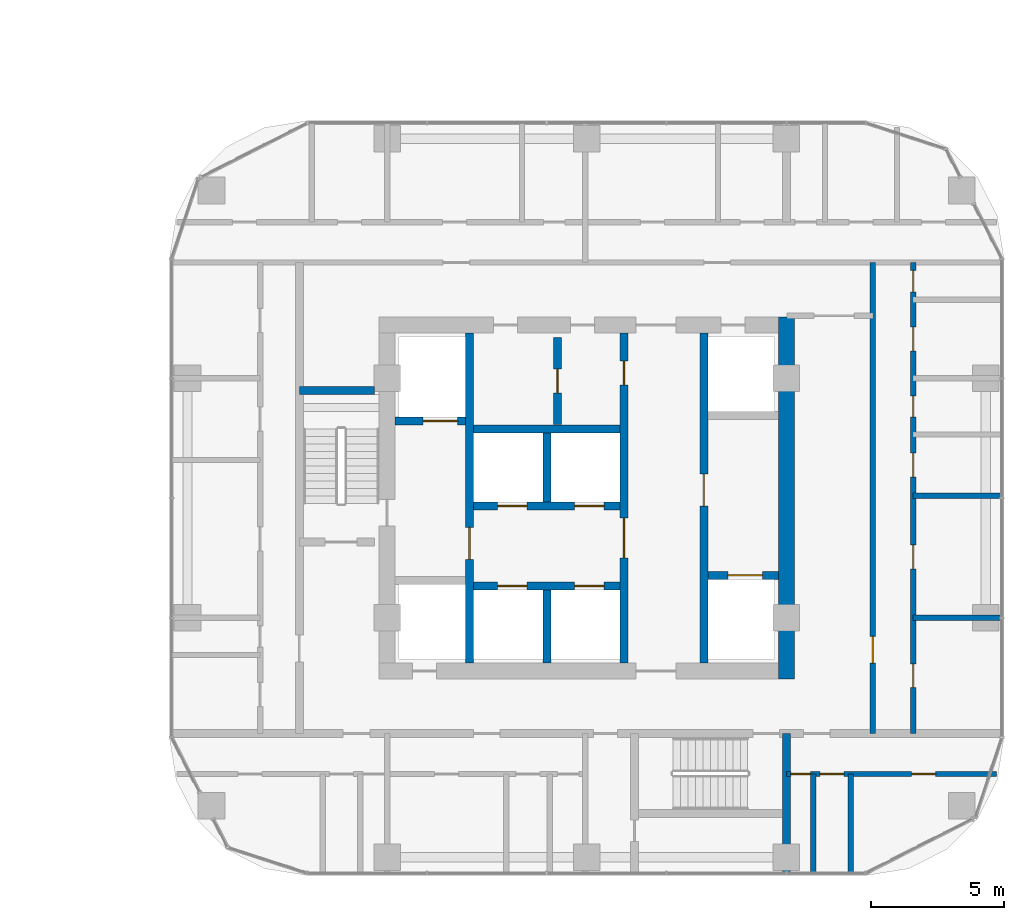
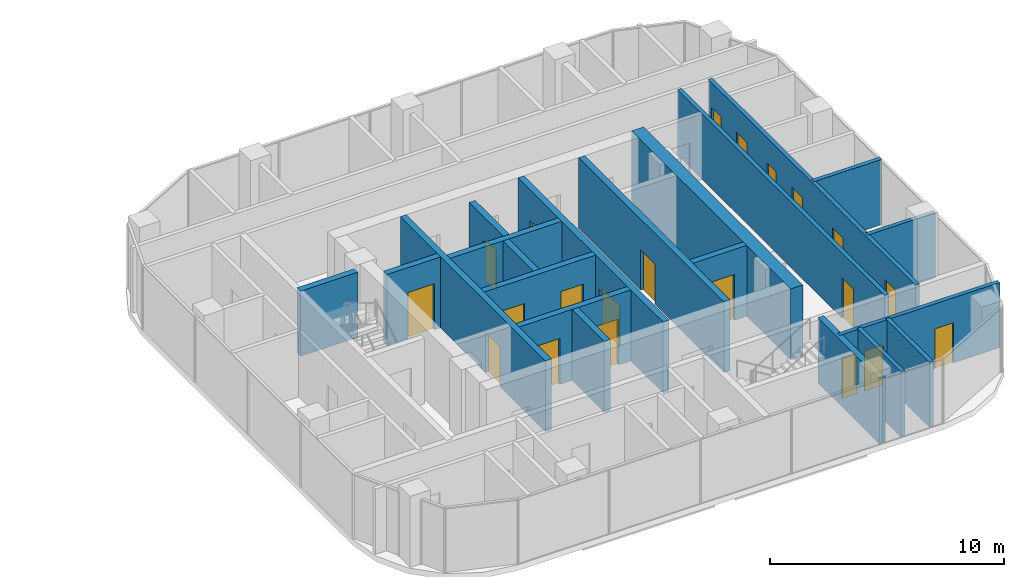
# One storey, part 20 of 30: 21 doors, 21 walls, 21 openings.
"""IFC4 building model written with IfcOpenShell, lengths in metres."""

from ifc_helpers import new_model, si_unit, direction, frame, frame_2d, origin, place, context, subcontext, project, spatial, rectangle, extrude, material, layer, layer_set, type_object, element, fill, save


model = new_model("IFC4")

# Units and contexts
model_context = context("Model", 3, precision=1e-05, world=origin(), true_north=direction((0.0, 1.0)))
body_context = subcontext(model_context, "Body", "Model", "MODEL_VIEW")
ifc_project = project(units=[si_unit("LENGTHUNIT", "METRE"), si_unit("AREAUNIT", "SQUARE_METRE"), si_unit("VOLUMEUNIT", "CUBIC_METRE"), si_unit("PLANEANGLEUNIT", "RADIAN"), si_unit("MASSUNIT", "GRAM", prefix="KILO")], contexts=[model_context])

# Site, building, storey
site_placement = place(None, origin())
site = spatial("IfcSite", under=ifc_project, at=site_placement, CompositionType="ELEMENT")
building_placement = place(site_placement, origin())
building = spatial("IfcBuilding", under=site, at=building_placement, Name="Ogive Portal Towers", CompositionType="ELEMENT")
storey_placement = place(building_placement, frame((0.0, 0.0, 37.199951171875)))
storey = spatial("IfcBuildingStorey", under=building, at=storey_placement, Name="L07", CompositionType="ELEMENT", Elevation=37.199951171875)

# Wall, opening, door
ifc_material_1 = material(Name="Concrete C60/75", Category="concrete")
ifc_layer_1 = layer(ifc_material_1, 0.300048828125)
ifc_layer_set_1 = layer_set([ifc_layer_1], Name="CORE WALL 300 C60")
wall_type_1 = type_object("IfcWallType", Name="CORE WALL 300 C60", PredefinedType="SHEAR", material=ifc_layer_set_1)
wall_1_placement = place(storey_placement, frame((132.10009765625, 24.800048828125, 0.0), z_axis=(0.0, 0.0, 1.0), x_axis=(0.0, 1.0, 0.0)))
wall_1 = element("IfcWall", 1, at=wall_1_placement, inside=storey, type_object=wall_type_1, Name="Tower B core wall BX1 L07", PredefinedType="SHEAR", context=body_context, shape_type="SweptSolid", body=[
    extrude(rectangle(XDim=12.39990234375, YDim=0.300048828125, at=frame_2d((6.199951171875, 0.0))), origin(), (0.0, 0.0, 1.0), 3.699951171875),
])
opening_1_placement = place(wall_1_placement, frame((3.89990234375, 0.0, 0.0)))
opening_1 = element("IfcOpeningElement", 2, at=opening_1_placement, cuts=wall_1, Name="Opening B01-044", PredefinedType="OPENING", context=body_context, shape_type="SweptSolid", body=[
    extrude(rectangle(XDim=1.199951171875, YDim=2.10009765625, at=frame_2d((0.60009765625, 1.050048828125))), frame((0.0, 0.16015625, 0.0), z_axis=(0.0, -1.0, 0.0), x_axis=(1.0, 0.0, 0.0)), (0.0, 0.0, 1.0), 0.320068359375),
])
ifc_material_2 = material(Name="Steel fire door", Category="steel")
door_type_1 = type_object("IfcDoorType", Name="DT-SWING-1200x2100-FD90S", OperationType="SINGLE_SWING_LEFT", PredefinedType="DOOR", material=ifc_material_2)
door_1_placement = place(opening_1_placement, origin())
door_1 = element("IfcDoor", 3, at=door_1_placement, inside=storey, type_object=door_type_1, Name="Door B01-044", OperationType="SINGLE_SWING_LEFT", OverallHeight=2.10009765625, OverallWidth=1.199951171875, PredefinedType="DOOR", context=body_context, shape_type="SweptSolid", body=[
    extrude(rectangle(XDim=1.199951171875, YDim=2.10009765625, at=frame_2d((0.60009765625, 1.050048828125))), frame((0.0, 0.02490234375, 0.0), z_axis=(0.0, -1.0, 0.0), x_axis=(1.0, 0.0, 0.0)), (0.0, 0.0, 1.0), 0.050048828125),
])
fill(opening_1, door_1)

# Wall, openings, doors
wall_2_placement = place(storey_placement, frame((137.89990234375, 24.800048828125, 0.0), z_axis=(0.0, 0.0, 1.0), x_axis=(0.0, 1.0, 0.0)))
wall_2 = element("IfcWall", 4, at=wall_2_placement, inside=storey, type_object=wall_type_1, Name="Tower B core wall BX2 L07", PredefinedType="SHEAR", context=body_context, shape_type="SweptSolid", body=[
    extrude(rectangle(XDim=12.39990234375, YDim=0.300048828125, at=frame_2d((6.199951171875, 0.0))), origin(), (0.0, 0.0, 1.0), 3.699951171875),
])
opening_2_placement = place(wall_2_placement, frame((3.949951171875, 0.0, 0.0)))
opening_2 = element("IfcOpeningElement", 5, at=opening_2_placement, cuts=wall_2, Name="Opening B01-043", PredefinedType="OPENING", context=body_context, shape_type="SweptSolid", body=[
    extrude(rectangle(XDim=1.5, YDim=2.10009765625, at=frame_2d((0.75, 1.050048828125))), frame((0.0, 0.16015625, 0.0), z_axis=(0.0, -1.0, 0.0), x_axis=(1.0, 0.0, 0.0)), (0.0, 0.0, 1.0), 0.320068359375),
])
opening_3_placement = place(wall_2_placement, frame((10.449951171875, 0.0, 0.0)))
opening_3 = element("IfcOpeningElement", 6, at=opening_3_placement, cuts=wall_2, Name="Opening B01-059", PredefinedType="OPENING", context=body_context, shape_type="SweptSolid", body=[
    extrude(rectangle(XDim=0.89990234375, YDim=2.10009765625, at=frame_2d((0.449951171875, 1.050048828125))), frame((0.0, 0.16015625, 0.0), z_axis=(0.0, -1.0, 0.0), x_axis=(1.0, 0.0, 0.0)), (0.0, 0.0, 1.0), 0.320068359375),
])
door_type_2 = type_object("IfcDoorType", Name="DT-SWING-1500x2100-FD90S", OperationType="SINGLE_SWING_LEFT", PredefinedType="DOOR", material=ifc_material_2)
door_2_placement = place(opening_2_placement, origin())
door_2 = element("IfcDoor", 7, at=door_2_placement, inside=storey, type_object=door_type_2, Name="Door B01-043", OperationType="SINGLE_SWING_RIGHT", OverallHeight=2.10009765625, OverallWidth=1.5, PredefinedType="DOOR", context=body_context, shape_type="SweptSolid", body=[
    extrude(rectangle(XDim=1.5, YDim=2.10009765625, at=frame_2d((0.75, 1.050048828125))), frame((0.0, 0.02490234375, 0.0), z_axis=(0.0, -1.0, 0.0), x_axis=(1.0, 0.0, 0.0)), (0.0, 0.0, 1.0), 0.050048828125),
])
fill(opening_2, door_2)
door_type_3 = type_object("IfcDoorType", Name="DT-SWING-900x2100-FD90S", OperationType="SINGLE_SWING_LEFT", PredefinedType="DOOR", material=ifc_material_2)
door_3_placement = place(opening_3_placement, origin())
door_3 = element("IfcDoor", 8, at=door_3_placement, inside=storey, type_object=door_type_3, Name="Door B01-059", OperationType="SINGLE_SWING_RIGHT", OverallHeight=2.10009765625, OverallWidth=0.89990234375, PredefinedType="DOOR", context=body_context, shape_type="SweptSolid", body=[
    extrude(rectangle(XDim=0.89990234375, YDim=2.10009765625, at=frame_2d((0.449951171875, 1.050048828125))), frame((0.0, 0.02490234375, 0.0), z_axis=(0.0, -1.0, 0.0), x_axis=(1.0, 0.0, 0.0)), (0.0, 0.0, 1.0), 0.050048828125),
])
fill(opening_3, door_3)

# Wall, opening, door
wall_3_placement = place(storey_placement, frame((140.89990234375, 24.800048828125, 0.0), z_axis=(0.0, 0.0, 1.0), x_axis=(0.0, 1.0, 0.0)))
wall_3 = element("IfcWall", 9, at=wall_3_placement, inside=storey, type_object=wall_type_1, Name="Tower B core wall BX3 L07", PredefinedType="SHEAR", context=body_context, shape_type="SweptSolid", body=[
    extrude(rectangle(XDim=12.39990234375, YDim=0.300048828125, at=frame_2d((6.199951171875, 0.0))), origin(), (0.0, 0.0, 1.0), 3.699951171875),
])
opening_4_placement = place(wall_3_placement, frame((5.89990234375, 0.0, 0.0)))
opening_4 = element("IfcOpeningElement", 10, at=opening_4_placement, cuts=wall_3, Name="Opening B01-045", PredefinedType="OPENING", context=body_context, shape_type="SweptSolid", body=[
    extrude(rectangle(XDim=1.199951171875, YDim=2.10009765625, at=frame_2d((0.60009765625, 1.050048828125))), frame((0.0, 0.16015625, 0.0), z_axis=(0.0, -1.0, 0.0), x_axis=(1.0, 0.0, 0.0)), (0.0, 0.0, 1.0), 0.320068359375),
])
door_4_placement = place(opening_4_placement, origin())
door_4 = element("IfcDoor", 11, at=door_4_placement, inside=storey, type_object=door_type_1, Name="Door B01-045", OperationType="SINGLE_SWING_RIGHT", OverallHeight=2.10009765625, OverallWidth=1.199951171875, PredefinedType="DOOR", context=body_context, shape_type="SweptSolid", body=[
    extrude(rectangle(XDim=1.199951171875, YDim=2.10009765625, at=frame_2d((0.60009765625, 1.050048828125))), frame((0.0, 0.02490234375, 0.0), z_axis=(0.0, -1.0, 0.0), x_axis=(1.0, 0.0, 0.0)), (0.0, 0.0, 1.0), 0.050048828125),
])
fill(opening_4, door_4)

# Walls
wall_4_placement = place(storey_placement, frame((135.0, 24.800048828125, 0.0), z_axis=(0.0, 0.0, 1.0), x_axis=(0.0, 1.0, 0.0)))
element("IfcWall", 12, at=wall_4_placement, inside=storey, type_object=wall_type_1, Name="Tower B core wall BX4 L07", PredefinedType="SHEAR", context=body_context, shape_type="SweptSolid", body=[
    extrude(rectangle(XDim=2.75, YDim=0.300048828125, at=frame_2d((1.375, 0.0))), origin(), (0.0, 0.0, 1.0), 3.699951171875),
])
wall_5_placement = place(storey_placement, frame((135.0, 30.85009765625, 0.0), z_axis=(0.0, 0.0, 1.0), x_axis=(0.0, 1.0, 0.0)))
element("IfcWall", 13, at=wall_5_placement, inside=storey, type_object=wall_type_1, Name="Tower B core wall BX5 L07", PredefinedType="SHEAR", context=body_context, shape_type="SweptSolid", body=[
    extrude(rectangle(XDim=2.599853515625, YDim=0.300048828125, at=frame_2d((1.2998046875, 0.0))), origin(), (0.0, 0.0, 1.0), 3.699951171875),
])

# Wall, openings, doors
wall_6_placement = place(storey_placement, frame((132.25, 27.699951171875, 0.0), z_axis=(0.0, 0.0, 1.0), x_axis=(1.0, 0.0, 0.0)))
wall_6 = element("IfcWall", 14, at=wall_6_placement, inside=storey, type_object=wall_type_1, Name="Tower B core wall BY1 L07", PredefinedType="SHEAR", context=body_context, shape_type="SweptSolid", body=[
    extrude(rectangle(XDim=5.5, YDim=0.300048828125, at=frame_2d((2.75, 0.0))), origin(), (0.0, 0.0, 1.0), 3.699951171875),
])
opening_5_placement = place(wall_6_placement, frame((0.89990234375, 0.0, 0.0)))
opening_5 = element("IfcOpeningElement", 15, at=opening_5_placement, cuts=wall_6, Name="Opening B01-051", PredefinedType="OPENING", context=body_context, shape_type="SweptSolid", body=[
    extrude(rectangle(XDim=1.10009765625, YDim=2.39990234375, at=frame_2d((0.550048828125, 1.199951171875))), frame((0.0, 0.16015625, 0.0), z_axis=(0.0, -1.0, 0.0), x_axis=(1.0, 0.0, 0.0)), (0.0, 0.0, 1.0), 0.320068359375),
])
opening_6_placement = place(wall_6_placement, frame((3.800048828125, 0.0, 0.0)))
opening_6 = element("IfcOpeningElement", 16, at=opening_6_placement, cuts=wall_6, Name="Opening B01-052", PredefinedType="OPENING", context=body_context, shape_type="SweptSolid", body=[
    extrude(rectangle(XDim=1.10009765625, YDim=2.39990234375, at=frame_2d((0.550048828125, 1.199951171875))), frame((0.0, 0.16015625, 0.0), z_axis=(0.0, -1.0, 0.0), x_axis=(1.0, 0.0, 0.0)), (0.0, 0.0, 1.0), 0.320068359375),
])
ifc_material_3 = material(Name="Stainless steel", Category="steel")
door_type_4 = type_object("IfcDoorType", Name="DT-LD-1100x2400", OperationType="SLIDING_TO_LEFT", PredefinedType="DOOR", material=ifc_material_3)
door_5_placement = place(opening_5_placement, origin())
door_5 = element("IfcDoor", 17, at=door_5_placement, inside=storey, type_object=door_type_4, Name="Door B01-051", OperationType="SLIDING_TO_LEFT", OverallHeight=2.39990234375, OverallWidth=1.10009765625, PredefinedType="DOOR", context=body_context, shape_type="SweptSolid", body=[
    extrude(rectangle(XDim=1.10009765625, YDim=2.39990234375, at=frame_2d((0.550048828125, 1.199951171875))), frame((0.0, 0.02490234375, 0.0), z_axis=(0.0, -1.0, 0.0), x_axis=(1.0, 0.0, 0.0)), (0.0, 0.0, 1.0), 0.050048828125),
])
fill(opening_5, door_5)
door_6_placement = place(opening_6_placement, origin())
door_6 = element("IfcDoor", 18, at=door_6_placement, inside=storey, type_object=door_type_4, Name="Door B01-052", OperationType="SLIDING_TO_LEFT", OverallHeight=2.39990234375, OverallWidth=1.10009765625, PredefinedType="DOOR", context=body_context, shape_type="SweptSolid", body=[
    extrude(rectangle(XDim=1.10009765625, YDim=2.39990234375, at=frame_2d((0.550048828125, 1.199951171875))), frame((0.0, 0.02490234375, 0.0), z_axis=(0.0, -1.0, 0.0), x_axis=(1.0, 0.0, 0.0)), (0.0, 0.0, 1.0), 0.050048828125),
])
fill(opening_6, door_6)

wall_7_placement = place(storey_placement, frame((132.25, 30.699951171875, 0.0), z_axis=(0.0, 0.0, 1.0), x_axis=(1.0, 0.0, 0.0)))
wall_7 = element("IfcWall", 19, at=wall_7_placement, inside=storey, type_object=wall_type_1, Name="Tower B core wall BY2 L07", PredefinedType="SHEAR", context=body_context, shape_type="SweptSolid", body=[
    extrude(rectangle(XDim=5.5, YDim=0.300048828125, at=frame_2d((2.75, 0.0))), origin(), (0.0, 0.0, 1.0), 3.699951171875),
])
opening_7_placement = place(wall_7_placement, frame((0.89990234375, 0.0, 0.0)))
opening_7 = element("IfcOpeningElement", 20, at=opening_7_placement, cuts=wall_7, Name="Opening B01-053", PredefinedType="OPENING", context=body_context, shape_type="SweptSolid", body=[
    extrude(rectangle(XDim=1.10009765625, YDim=2.39990234375, at=frame_2d((0.550048828125, 1.199951171875))), frame((0.0, 0.16015625, 0.0), z_axis=(0.0, -1.0, 0.0), x_axis=(1.0, 0.0, 0.0)), (0.0, 0.0, 1.0), 0.320068359375),
])
opening_8_placement = place(wall_7_placement, frame((3.800048828125, 0.0, 0.0)))
opening_8 = element("IfcOpeningElement", 21, at=opening_8_placement, cuts=wall_7, Name="Opening B01-054", PredefinedType="OPENING", context=body_context, shape_type="SweptSolid", body=[
    extrude(rectangle(XDim=1.10009765625, YDim=2.39990234375, at=frame_2d((0.550048828125, 1.199951171875))), frame((0.0, 0.16015625, 0.0), z_axis=(0.0, -1.0, 0.0), x_axis=(1.0, 0.0, 0.0)), (0.0, 0.0, 1.0), 0.320068359375),
])
door_7_placement = place(opening_7_placement, origin())
door_7 = element("IfcDoor", 22, at=door_7_placement, inside=storey, type_object=door_type_4, Name="Door B01-053", OperationType="SLIDING_TO_LEFT", OverallHeight=2.39990234375, OverallWidth=1.10009765625, PredefinedType="DOOR", context=body_context, shape_type="SweptSolid", body=[
    extrude(rectangle(XDim=1.10009765625, YDim=2.39990234375, at=frame_2d((0.550048828125, 1.199951171875))), frame((0.0, 0.02490234375, 0.0), z_axis=(0.0, -1.0, 0.0), x_axis=(1.0, 0.0, 0.0)), (0.0, 0.0, 1.0), 0.050048828125),
])
fill(opening_7, door_7)
door_8_placement = place(opening_8_placement, origin())
door_8 = element("IfcDoor", 23, at=door_8_placement, inside=storey, type_object=door_type_4, Name="Door B01-054", OperationType="SLIDING_TO_LEFT", OverallHeight=2.39990234375, OverallWidth=1.10009765625, PredefinedType="DOOR", context=body_context, shape_type="SweptSolid", body=[
    extrude(rectangle(XDim=1.10009765625, YDim=2.39990234375, at=frame_2d((0.550048828125, 1.199951171875))), frame((0.0, 0.02490234375, 0.0), z_axis=(0.0, -1.0, 0.0), x_axis=(1.0, 0.0, 0.0)), (0.0, 0.0, 1.0), 0.050048828125),
])
fill(opening_8, door_8)

# Wall
wall_8_placement = place(storey_placement, frame((132.25, 33.60009765625, 0.0), z_axis=(0.0, 0.0, 1.0), x_axis=(1.0, 0.0, 0.0)))
element("IfcWall", 24, at=wall_8_placement, inside=storey, type_object=wall_type_1, Name="Tower B core wall BY3 L07", PredefinedType="SHEAR", context=body_context, shape_type="SweptSolid", body=[
    extrude(rectangle(XDim=5.5, YDim=0.300048828125, at=frame_2d((2.75, 0.0))), origin(), (0.0, 0.0, 1.0), 3.699951171875),
])

# Wall, opening, door
wall_9_placement = place(storey_placement, frame((129.300048828125, 33.89990234375, 0.0), z_axis=(0.0, 0.0, 1.0), x_axis=(1.0, 0.0, 0.0)))
wall_9 = element("IfcWall", 25, at=wall_9_placement, inside=storey, type_object=wall_type_1, Name="Tower B core wall BY5 L07", PredefinedType="SHEAR", context=body_context, shape_type="SweptSolid", body=[
    extrude(rectangle(XDim=2.64990234375, YDim=0.300048828125, at=frame_2d((1.324951171875, 0.0))), origin(), (0.0, 0.0, 1.0), 3.699951171875),
])
opening_9_placement = place(wall_9_placement, frame((1.050048828125, 0.0, 0.0)))
opening_9 = element("IfcOpeningElement", 26, at=opening_9_placement, cuts=wall_9, Name="Opening B01-055", PredefinedType="OPENING", context=body_context, shape_type="SweptSolid", body=[
    extrude(rectangle(XDim=1.300048828125, YDim=2.39990234375, at=frame_2d((0.64990234375, 1.199951171875))), frame((0.0, 0.16015625, 0.0), z_axis=(0.0, -1.0, 0.0), x_axis=(1.0, 0.0, 0.0)), (0.0, 0.0, 1.0), 0.320068359375),
])
door_type_5 = type_object("IfcDoorType", Name="DT-LD-1300x2400", OperationType="SLIDING_TO_LEFT", PredefinedType="DOOR", material=ifc_material_3)
door_9_placement = place(opening_9_placement, origin())
door_9 = element("IfcDoor", 27, at=door_9_placement, inside=storey, type_object=door_type_5, Name="Door B01-055", OperationType="SLIDING_TO_LEFT", OverallHeight=2.39990234375, OverallWidth=1.300048828125, PredefinedType="DOOR", context=body_context, shape_type="SweptSolid", body=[
    extrude(rectangle(XDim=1.300048828125, YDim=2.39990234375, at=frame_2d((0.64990234375, 1.199951171875))), frame((0.0, 0.02490234375, 0.0), z_axis=(0.0, -1.0, 0.0), x_axis=(1.0, 0.0, 0.0)), (0.0, 0.0, 1.0), 0.050048828125),
])
fill(opening_9, door_9)

wall_10_placement = place(storey_placement, frame((141.050048828125, 28.10009765625, 0.0), z_axis=(0.0, 0.0, 1.0), x_axis=(1.0, 0.0, 0.0)))
wall_10 = element("IfcWall", 28, at=wall_10_placement, inside=storey, type_object=wall_type_1, Name="Tower B core wall BY6 L07", PredefinedType="SHEAR", context=body_context, shape_type="SweptSolid", body=[
    extrude(rectangle(XDim=2.64990234375, YDim=0.300048828125, at=frame_2d((1.324951171875, 0.0))), origin(), (0.0, 0.0, 1.0), 3.699951171875),
])
opening_10_placement = place(wall_10_placement, frame((0.75, 0.0, 0.0)))
opening_10 = element("IfcOpeningElement", 29, at=opening_10_placement, cuts=wall_10, Name="Opening B01-056", PredefinedType="OPENING", context=body_context, shape_type="SweptSolid", body=[
    extrude(rectangle(XDim=1.300048828125, YDim=2.39990234375, at=frame_2d((0.64990234375, 1.199951171875))), frame((0.0, 0.16015625, 0.0), z_axis=(0.0, -1.0, 0.0), x_axis=(1.0, 0.0, 0.0)), (0.0, 0.0, 1.0), 0.320068359375),
])
door_10_placement = place(opening_10_placement, origin())
door_10 = element("IfcDoor", 30, at=door_10_placement, inside=storey, type_object=door_type_5, Name="Door B01-056", OperationType="SLIDING_TO_LEFT", OverallHeight=2.39990234375, OverallWidth=1.300048828125, PredefinedType="DOOR", context=body_context, shape_type="SweptSolid", body=[
    extrude(rectangle(XDim=1.300048828125, YDim=2.39990234375, at=frame_2d((0.64990234375, 1.199951171875))), frame((0.0, 0.02490234375, 0.0), z_axis=(0.0, -1.0, 0.0), x_axis=(1.0, 0.0, 0.0)), (0.0, 0.0, 1.0), 0.050048828125),
])
fill(opening_10, door_10)

# Walls
ifc_layer_2 = layer(ifc_material_1, 0.60009765625)
ifc_layer_set_2 = layer_set([ifc_layer_2], Name="CORE WALL 600 C60")
wall_type_2 = type_object("IfcWallType", Name="CORE WALL 600 C60", PredefinedType="SHEAR", material=ifc_layer_set_2)
wall_11_placement = place(storey_placement, frame((144.0, 24.199951171875, 0.0), z_axis=(0.0, 0.0, 1.0), x_axis=(0.0, 1.0, 0.0)))
element("IfcWall", 31, at=wall_11_placement, inside=storey, type_object=wall_type_2, Name="Tower B core wall BE L07", PredefinedType="SHEAR", context=body_context, shape_type="SweptSolid", body=[
    extrude(rectangle(XDim=13.60009765625, YDim=0.60009765625, at=frame_2d((6.800048828125, 0.0))), origin(), (0.0, 0.0, 1.0), 3.699951171875),
])
ifc_material_4 = material(Name="Concrete C50/60", Category="concrete")
ifc_layer_3 = layer(ifc_material_4, 0.300048828125)
ifc_layer_set_3 = layer_set([ifc_layer_3], Name="STAIR WALL 300 C50")
wall_type_3 = type_object("IfcWallType", Name="STAIR WALL 300 C50", PredefinedType="SHEAR", material=ifc_layer_set_3)
wall_12_placement = place(storey_placement, frame((125.699951171875, 35.050048828125, 0.0), z_axis=(0.0, 0.0, 1.0), x_axis=(1.0, 0.0, 0.0)))
element("IfcWall", 32, at=wall_12_placement, inside=storey, type_object=wall_type_3, Name="Stair wall ST-B1 L07", PredefinedType="SHEAR", context=body_context, shape_type="SweptSolid", body=[
    extrude(rectangle(XDim=2.830078125, YDim=0.300048828125, at=frame_2d((1.4150390625, 0.0))), origin(), (0.0, 0.0, 1.0), 3.400146484375),
])
wall_13_placement = place(storey_placement, frame((144.0, 16.889892578125, 0.0), z_axis=(0.0, 0.0, 1.0), x_axis=(0.0, 1.0, 0.0)))
element("IfcWall", 33, at=wall_13_placement, inside=storey, type_object=wall_type_3, Name="Stair wall ST-B2 L07", PredefinedType="SHEAR", context=body_context, shape_type="SweptSolid", body=[
    extrude(rectangle(XDim=5.260009765625, YDim=0.300048828125, at=frame_2d((2.6298828125, 0.0))), origin(), (0.0, 0.0, 1.0), 3.400146484375),
])

# Wall, openings, doors
ifc_material_5 = material(Name="Gypsum board partition on steel studs", Category="steel")
ifc_layer_4 = layer(ifc_material_5, 0.199951171875)
ifc_layer_set_4 = layer_set([ifc_layer_4], Name="WT-PART-200-EI 60")
wall_type_4 = type_object("IfcWallType", Name="WT-PART-200-EI 60", PredefinedType="PARTITIONING", material=ifc_layer_set_4)
wall_14_placement = place(storey_placement, frame((144.0, 20.6298828125, 0.0), z_axis=(0.0, 0.0, 1.0), x_axis=(1.0, 0.0, 0.0)))
wall_14 = element("IfcWall", 34, at=wall_14_placement, inside=storey, type_object=wall_type_4, Name="Wall L07:w003", PredefinedType="PARTITIONING", context=body_context, shape_type="SweptSolid", body=[
    extrude(rectangle(XDim=7.89208984375, YDim=0.199951171875, at=frame_2d((3.946044921875, 0.0))), origin(), (0.0, 0.0, 1.0), 3.400146484375),
])
opening_11_placement = place(wall_14_placement, frame((0.169921875, 0.0, 0.0)))
opening_11 = element("IfcOpeningElement", 35, at=opening_11_placement, cuts=wall_14, Name="Opening B01-025", PredefinedType="OPENING", context=body_context, shape_type="SweptSolid", body=[
    extrude(rectangle(XDim=0.73388671875, YDim=2.10009765625, at=frame_2d((0.366943359375, 1.050048828125))), frame((0.0, 0.10986328125, 0.0), z_axis=(0.0, -1.0, 0.0), x_axis=(1.0, 0.0, 0.0)), (0.0, 0.0, 1.0), 0.219970703125),
])
opening_12_placement = place(wall_14_placement, frame((1.264892578125, 0.0, 0.0)))
opening_12 = element("IfcOpeningElement", 36, at=opening_12_placement, cuts=wall_14, Name="Opening B01-026", PredefinedType="OPENING", context=body_context, shape_type="SweptSolid", body=[
    extrude(rectangle(XDim=0.89990234375, YDim=2.10009765625, at=frame_2d((0.449951171875, 1.050048828125))), frame((0.0, 0.10986328125, 0.0), z_axis=(0.0, -1.0, 0.0), x_axis=(1.0, 0.0, 0.0)), (0.0, 0.0, 1.0), 0.219970703125),
])
opening_13_placement = place(wall_14_placement, frame((4.7080078125, 0.0, 0.0)))
opening_13 = element("IfcOpeningElement", 37, at=opening_13_placement, cuts=wall_14, Name="Opening B01-027", PredefinedType="OPENING", context=body_context, shape_type="SweptSolid", body=[
    extrude(rectangle(XDim=0.89990234375, YDim=2.10009765625, at=frame_2d((0.449951171875, 1.050048828125))), frame((0.0, 0.10986328125, 0.0), z_axis=(0.0, -1.0, 0.0), x_axis=(1.0, 0.0, 0.0)), (0.0, 0.0, 1.0), 0.219970703125),
])
door_type_6 = type_object("IfcDoorType", Name="DT-SWING-734x2100-FD60S", OperationType="SINGLE_SWING_LEFT", PredefinedType="DOOR", material=ifc_material_2)
door_11_placement = place(opening_11_placement, origin())
door_11 = element("IfcDoor", 38, at=door_11_placement, inside=storey, type_object=door_type_6, Name="Door B01-025", OperationType="SINGLE_SWING_LEFT", OverallHeight=2.10009765625, OverallWidth=0.73388671875, PredefinedType="DOOR", context=body_context, shape_type="SweptSolid", body=[
    extrude(rectangle(XDim=0.73388671875, YDim=2.10009765625, at=frame_2d((0.366943359375, 1.050048828125))), frame((0.0, 0.02490234375, 0.0), z_axis=(0.0, -1.0, 0.0), x_axis=(1.0, 0.0, 0.0)), (0.0, 0.0, 1.0), 0.050048828125),
])
fill(opening_11, door_11)
door_type_7 = type_object("IfcDoorType", Name="DT-SWING-900x2100-FD60S", OperationType="SINGLE_SWING_LEFT", PredefinedType="DOOR", material=ifc_material_2)
door_12_placement = place(opening_12_placement, origin())
door_12 = element("IfcDoor", 39, at=door_12_placement, inside=storey, type_object=door_type_7, Name="Door B01-026", OperationType="SINGLE_SWING_RIGHT", OverallHeight=2.10009765625, OverallWidth=0.89990234375, PredefinedType="DOOR", context=body_context, shape_type="SweptSolid", body=[
    extrude(rectangle(XDim=0.89990234375, YDim=2.10009765625, at=frame_2d((0.449951171875, 1.050048828125))), frame((0.0, 0.02490234375, 0.0), z_axis=(0.0, -1.0, 0.0), x_axis=(1.0, 0.0, 0.0)), (0.0, 0.0, 1.0), 0.050048828125),
])
fill(opening_12, door_12)
door_13_placement = place(opening_13_placement, origin())
door_13 = element("IfcDoor", 40, at=door_13_placement, inside=storey, type_object=door_type_7, Name="Door B01-027", OperationType="SINGLE_SWING_LEFT", OverallHeight=2.10009765625, OverallWidth=0.89990234375, PredefinedType="DOOR", context=body_context, shape_type="SweptSolid", body=[
    extrude(rectangle(XDim=0.89990234375, YDim=2.10009765625, at=frame_2d((0.449951171875, 1.050048828125))), frame((0.0, 0.02490234375, 0.0), z_axis=(0.0, -1.0, 0.0), x_axis=(1.0, 0.0, 0.0)), (0.0, 0.0, 1.0), 0.050048828125),
])
fill(opening_13, door_13)

# Walls
for number, where, z_axis, x_axis, name in (
    (41, (148.77001953125, 26.5, 0.0), (0.0, 0.0, 1.0), (1.0, 0.0, 0.0), "Wall L07:w009"),
    (42, (148.77001953125, 31.091064453125, 0.0), (0.0, 0.0, 1.0), (1.0, 0.0, 0.0), "Wall L07:w011"),
):
    element("IfcWall", number, at=place(storey_placement, frame(where, z_axis=z_axis, x_axis=x_axis)), inside=storey, type_object=wall_type_4, Name=name, PredefinedType="PARTITIONING", context=body_context, shape_type="SweptSolid", body=[
        extrude(rectangle(XDim=3.340087890625, YDim=0.199951171875, at=frame_2d((1.669921875, 0.0))), origin(), (0.0, 0.0, 1.0), 3.400146484375),
    ])
for number, where, z_axis, x_axis, name in (
    (43, (145.009033203125, 16.889892578125, 0.0), (0.0, 0.0, 1.0), (0.0, 1.0, 0.0), "Wall L07:w043"),
    (44, (146.4208984375, 16.889892578125, 0.0), (0.0, 0.0, 1.0), (0.0, 1.0, 0.0), "Wall L07:w045"),
):
    element("IfcWall", number, at=place(storey_placement, frame(where, z_axis=z_axis, x_axis=x_axis)), inside=storey, type_object=wall_type_4, Name=name, PredefinedType="PARTITIONING", context=body_context, shape_type="SweptSolid", body=[
        extrude(rectangle(XDim=3.739990234375, YDim=0.199951171875, at=frame_2d((1.8701171875, 0.0))), origin(), (0.0, 0.0, 1.0), 3.400146484375),
    ])

# Wall, opening, door
wall_15_placement = place(storey_placement, frame((147.25, 22.14990234375, 0.0), z_axis=(0.0, 0.0, 1.0), x_axis=(0.0, 1.0, 0.0)))
wall_15 = element("IfcWall", 45, at=wall_15_placement, inside=storey, type_object=wall_type_4, Name="Wall L07:w046", PredefinedType="PARTITIONING", context=body_context, shape_type="SweptSolid", body=[
    extrude(rectangle(XDim=17.7001953125, YDim=0.199951171875, at=frame_2d((8.85009765625, 0.0))), origin(), (0.0, 0.0, 1.0), 3.400146484375),
])
opening_14_placement = place(wall_15_placement, frame((2.64990234375, 0.0, 0.0)))
opening_14 = element("IfcOpeningElement", 46, at=opening_14_placement, cuts=wall_15, Name="Opening B01-036", PredefinedType="OPENING", context=body_context, shape_type="SweptSolid", body=[
    extrude(rectangle(XDim=1.0, YDim=2.10009765625, at=frame_2d((0.5, 1.050048828125))), frame((0.0, 0.10986328125, 0.0), z_axis=(0.0, -1.0, 0.0), x_axis=(1.0, 0.0, 0.0)), (0.0, 0.0, 1.0), 0.219970703125),
])
door_type_8 = type_object("IfcDoorType", Name="DT-SWING-1000x2100-FD60S", OperationType="SINGLE_SWING_LEFT", PredefinedType="DOOR", material=ifc_material_2)
door_14_placement = place(opening_14_placement, origin())
door_14 = element("IfcDoor", 47, at=door_14_placement, inside=storey, type_object=door_type_8, Name="Door B01-036", OperationType="SINGLE_SWING_RIGHT", OverallHeight=2.10009765625, OverallWidth=1.0, PredefinedType="DOOR", context=body_context, shape_type="SweptSolid", body=[
    extrude(rectangle(XDim=1.0, YDim=2.10009765625, at=frame_2d((0.5, 1.050048828125))), frame((0.0, 0.02490234375, 0.0), z_axis=(0.0, -1.0, 0.0), x_axis=(1.0, 0.0, 0.0)), (0.0, 0.0, 1.0), 0.050048828125),
])
fill(opening_14, door_14)

# Wall, openings, doors
wall_16_placement = place(storey_placement, frame((148.77001953125, 22.14990234375, 0.0), z_axis=(0.0, 0.0, 1.0), x_axis=(0.0, 1.0, 0.0)))
wall_16 = element("IfcWall", 48, at=wall_16_placement, inside=storey, type_object=wall_type_4, Name="Wall L07:w048", PredefinedType="PARTITIONING", context=body_context, shape_type="SweptSolid", body=[
    extrude(rectangle(XDim=17.7001953125, YDim=0.199951171875, at=frame_2d((8.85009765625, 0.0))), origin(), (0.0, 0.0, 1.0), 3.400146484375),
])
opening_15_placement = place(wall_16_placement, frame((1.72509765625, 0.0, 0.0)))
opening_15 = element("IfcOpeningElement", 49, at=opening_15_placement, cuts=wall_16, Name="Opening B01-037", PredefinedType="OPENING", context=body_context, shape_type="SweptSolid", body=[
    extrude(rectangle(XDim=0.89990234375, YDim=2.10009765625, at=frame_2d((0.449951171875, 1.050048828125))), frame((0.0, 0.10986328125, 0.0), z_axis=(0.0, -1.0, 0.0), x_axis=(1.0, 0.0, 0.0)), (0.0, 0.0, 1.0), 0.219970703125),
])
opening_16_placement = place(wall_16_placement, frame((6.195068359375, 0.0, 0.0)))
opening_16 = element("IfcOpeningElement", 50, at=opening_16_placement, cuts=wall_16, Name="Opening B01-038", PredefinedType="OPENING", context=body_context, shape_type="SweptSolid", body=[
    extrude(rectangle(XDim=0.89990234375, YDim=2.10009765625, at=frame_2d((0.449951171875, 1.050048828125))), frame((0.0, 0.10986328125, 0.0), z_axis=(0.0, -1.0, 0.0), x_axis=(1.0, 0.0, 0.0)), (0.0, 0.0, 1.0), 0.219970703125),
])
opening_17_placement = place(wall_16_placement, frame((9.64111328125, 0.0, 0.0)))
opening_17 = element("IfcOpeningElement", 51, at=opening_17_placement, cuts=wall_16, Name="Opening B01-039", PredefinedType="OPENING", context=body_context, shape_type="SweptSolid", body=[
    extrude(rectangle(XDim=0.89990234375, YDim=2.10009765625, at=frame_2d((0.449951171875, 1.050048828125))), frame((0.0, 0.10986328125, 0.0), z_axis=(0.0, -1.0, 0.0), x_axis=(1.0, 0.0, 0.0)), (0.0, 0.0, 1.0), 0.219970703125),
])
opening_18_placement = place(wall_16_placement, frame((11.89501953125, 0.0, 0.0)))
opening_18 = element("IfcOpeningElement", 52, at=opening_18_placement, cuts=wall_16, Name="Opening B01-040", PredefinedType="OPENING", context=body_context, shape_type="SweptSolid", body=[
    extrude(rectangle(XDim=0.800048828125, YDim=2.10009765625, at=frame_2d((0.39990234375, 1.050048828125))), frame((0.0, 0.10986328125, 0.0), z_axis=(0.0, -1.0, 0.0), x_axis=(1.0, 0.0, 0.0)), (0.0, 0.0, 1.0), 0.219970703125),
])
opening_19_placement = place(wall_16_placement, frame((14.3779296875, 0.0, 0.0)))
opening_19 = element("IfcOpeningElement", 53, at=opening_19_placement, cuts=wall_16, Name="Opening B01-041", PredefinedType="OPENING", context=body_context, shape_type="SweptSolid", body=[
    extrude(rectangle(XDim=0.89990234375, YDim=2.10009765625, at=frame_2d((0.449951171875, 1.050048828125))), frame((0.0, 0.10986328125, 0.0), z_axis=(0.0, -1.0, 0.0), x_axis=(1.0, 0.0, 0.0)), (0.0, 0.0, 1.0), 0.219970703125),
])
opening_20_placement = place(wall_16_placement, frame((16.60302734375, 0.0, 0.0)))
opening_20 = element("IfcOpeningElement", 54, at=opening_20_placement, cuts=wall_16, Name="Opening B01-042", PredefinedType="OPENING", context=body_context, shape_type="SweptSolid", body=[
    extrude(rectangle(XDim=0.800048828125, YDim=2.10009765625, at=frame_2d((0.39990234375, 1.050048828125))), frame((0.0, 0.10986328125, 0.0), z_axis=(0.0, -1.0, 0.0), x_axis=(1.0, 0.0, 0.0)), (0.0, 0.0, 1.0), 0.219970703125),
])
door_type_9 = type_object("IfcDoorType", Name="DT-SWING-800x2100-FD60S", OperationType="SINGLE_SWING_LEFT", PredefinedType="DOOR", material=ifc_material_2)
door_15_placement = place(opening_18_placement, origin())
door_15 = element("IfcDoor", 55, at=door_15_placement, inside=storey, type_object=door_type_9, Name="Door B01-040", OperationType="SINGLE_SWING_RIGHT", OverallHeight=2.10009765625, OverallWidth=0.800048828125, PredefinedType="DOOR", context=body_context, shape_type="SweptSolid", body=[
    extrude(rectangle(XDim=0.800048828125, YDim=2.10009765625, at=frame_2d((0.39990234375, 1.050048828125))), frame((0.0, 0.02490234375, 0.0), z_axis=(0.0, -1.0, 0.0), x_axis=(1.0, 0.0, 0.0)), (0.0, 0.0, 1.0), 0.050048828125),
])
fill(opening_18, door_15)
door_16_placement = place(opening_20_placement, origin())
door_16 = element("IfcDoor", 56, at=door_16_placement, inside=storey, type_object=door_type_9, Name="Door B01-042", OperationType="SINGLE_SWING_RIGHT", OverallHeight=2.10009765625, OverallWidth=0.800048828125, PredefinedType="DOOR", context=body_context, shape_type="SweptSolid", body=[
    extrude(rectangle(XDim=0.800048828125, YDim=2.10009765625, at=frame_2d((0.39990234375, 1.050048828125))), frame((0.0, 0.02490234375, 0.0), z_axis=(0.0, -1.0, 0.0), x_axis=(1.0, 0.0, 0.0)), (0.0, 0.0, 1.0), 0.050048828125),
])
fill(opening_20, door_16)
door_17_placement = place(opening_15_placement, origin())
door_17 = element("IfcDoor", 57, at=door_17_placement, inside=storey, type_object=door_type_7, Name="Door B01-037", OperationType="SINGLE_SWING_LEFT", OverallHeight=2.10009765625, OverallWidth=0.89990234375, PredefinedType="DOOR", context=body_context, shape_type="SweptSolid", body=[
    extrude(rectangle(XDim=0.89990234375, YDim=2.10009765625, at=frame_2d((0.449951171875, 1.050048828125))), frame((0.0, 0.02490234375, 0.0), z_axis=(0.0, -1.0, 0.0), x_axis=(1.0, 0.0, 0.0)), (0.0, 0.0, 1.0), 0.050048828125),
])
fill(opening_15, door_17)
door_18_placement = place(opening_16_placement, origin())
door_18 = element("IfcDoor", 58, at=door_18_placement, inside=storey, type_object=door_type_7, Name="Door B01-038", OperationType="SINGLE_SWING_RIGHT", OverallHeight=2.10009765625, OverallWidth=0.89990234375, PredefinedType="DOOR", context=body_context, shape_type="SweptSolid", body=[
    extrude(rectangle(XDim=0.89990234375, YDim=2.10009765625, at=frame_2d((0.449951171875, 1.050048828125))), frame((0.0, 0.02490234375, 0.0), z_axis=(0.0, -1.0, 0.0), x_axis=(1.0, 0.0, 0.0)), (0.0, 0.0, 1.0), 0.050048828125),
])
fill(opening_16, door_18)
door_19_placement = place(opening_17_placement, origin())
door_19 = element("IfcDoor", 59, at=door_19_placement, inside=storey, type_object=door_type_7, Name="Door B01-039", OperationType="SINGLE_SWING_LEFT", OverallHeight=2.10009765625, OverallWidth=0.89990234375, PredefinedType="DOOR", context=body_context, shape_type="SweptSolid", body=[
    extrude(rectangle(XDim=0.89990234375, YDim=2.10009765625, at=frame_2d((0.449951171875, 1.050048828125))), frame((0.0, 0.02490234375, 0.0), z_axis=(0.0, -1.0, 0.0), x_axis=(1.0, 0.0, 0.0)), (0.0, 0.0, 1.0), 0.050048828125),
])
fill(opening_17, door_19)
door_20_placement = place(opening_19_placement, origin())
door_20 = element("IfcDoor", 60, at=door_20_placement, inside=storey, type_object=door_type_7, Name="Door B01-041", OperationType="SINGLE_SWING_LEFT", OverallHeight=2.10009765625, OverallWidth=0.89990234375, PredefinedType="DOOR", context=body_context, shape_type="SweptSolid", body=[
    extrude(rectangle(XDim=0.89990234375, YDim=2.10009765625, at=frame_2d((0.449951171875, 1.050048828125))), frame((0.0, 0.02490234375, 0.0), z_axis=(0.0, -1.0, 0.0), x_axis=(1.0, 0.0, 0.0)), (0.0, 0.0, 1.0), 0.050048828125),
])
fill(opening_19, door_20)

# Wall, opening, door
ifc_layer_5 = layer(ifc_material_5, 0.300048828125)
ifc_layer_set_5 = layer_set([ifc_layer_5], Name="WT-PART-300-EI 60")
wall_type_5 = type_object("IfcWallType", Name="WT-PART-300-EI 60", PredefinedType="PARTITIONING", material=ifc_layer_set_5)
wall_17_placement = place(storey_placement, frame((135.39990234375, 33.77001953125, 0.0), z_axis=(0.0, 0.0, 1.0), x_axis=(0.0, 1.0, 0.0)))
wall_17 = element("IfcWall", 61, at=wall_17_placement, inside=storey, type_object=wall_type_5, Name="Wall L07:w034", PredefinedType="PARTITIONING", context=body_context, shape_type="SweptSolid", body=[
    extrude(rectangle(XDim=3.260009765625, YDim=0.300048828125, at=frame_2d((1.6298828125, 0.0))), origin(), (0.0, 0.0, 1.0), 3.400146484375),
])
opening_21_placement = place(wall_17_placement, frame((1.179931640625, 0.0, 0.0)))
opening_21 = element("IfcOpeningElement", 62, at=opening_21_placement, cuts=wall_17, Name="Opening B01-004", PredefinedType="OPENING", context=body_context, shape_type="SweptSolid", body=[
    extrude(rectangle(XDim=0.89990234375, YDim=2.10009765625, at=frame_2d((0.449951171875, 1.050048828125))), frame((0.0, 0.16015625, 0.0), z_axis=(0.0, -1.0, 0.0), x_axis=(1.0, 0.0, 0.0)), (0.0, 0.0, 1.0), 0.320068359375),
])
door_21_placement = place(opening_21_placement, origin())
door_21 = element("IfcDoor", 63, at=door_21_placement, inside=storey, type_object=door_type_7, Name="Door B01-004", OperationType="SINGLE_SWING_RIGHT", OverallHeight=2.10009765625, OverallWidth=0.89990234375, PredefinedType="DOOR", context=body_context, shape_type="SweptSolid", body=[
    extrude(rectangle(XDim=0.89990234375, YDim=2.10009765625, at=frame_2d((0.449951171875, 1.050048828125))), frame((0.0, 0.02490234375, 0.0), z_axis=(0.0, -1.0, 0.0), x_axis=(1.0, 0.0, 0.0)), (0.0, 0.0, 1.0), 0.050048828125),
])
fill(opening_21, door_21)

save(model, "model.ifc")
